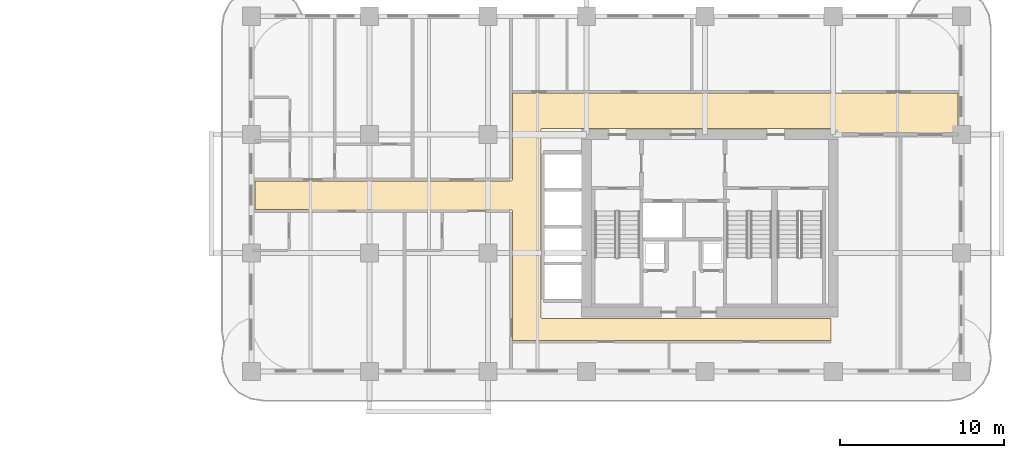
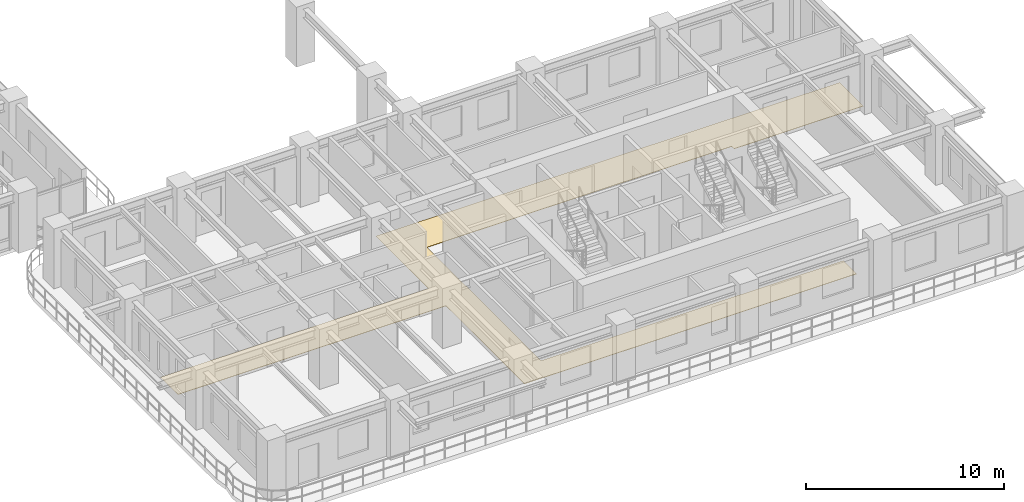
# One storey, part 16 of 19: 1 covering.
"""IFC4 building model written with IfcOpenShell, lengths in metres."""

from ifc_helpers import new_model, si_unit, derived_unit, direction, frame, origin, place, context, subcontext, project, spatial, polyline, outline, extrude, material, layer, layer_set, type_object, element, save


model = new_model("IFC4")

# Units and contexts
model_context = context("Model", 3, precision=1e-05, world=origin(), true_north=direction((0.0, 1.0)))
body_context = subcontext(model_context, "Body", "Model", "MODEL_VIEW")
ifc_project = project(units=[si_unit("LENGTHUNIT", "METRE"), si_unit("AREAUNIT", "SQUARE_METRE"), si_unit("VOLUMEUNIT", "CUBIC_METRE"), si_unit("PLANEANGLEUNIT", "RADIAN"), si_unit("MASSUNIT", "GRAM", prefix="KILO"), si_unit("THERMODYNAMICTEMPERATUREUNIT", "KELVIN"), si_unit("POWERUNIT", "WATT"), derived_unit("THERMALTRANSMITTANCEUNIT", [(si_unit("POWERUNIT", "WATT"), 1), (si_unit("AREAUNIT", "SQUARE_METRE"), -1), (si_unit("THERMODYNAMICTEMPERATUREUNIT", "KELVIN"), -1)])], contexts=[model_context])

# Site, building, storey
site_placement = place(None, origin())
site = spatial("IfcSite", under=ifc_project, at=site_placement, CompositionType="ELEMENT")
building_placement = place(site_placement, origin())
building = spatial("IfcBuilding", under=site, at=building_placement, Name="Zahravan Archway Hotel and Residences", CompositionType="ELEMENT")
storey_placement = place(building_placement, frame((0.0, 0.0, 43.5)))
storey = spatial("IfcBuildingStorey", under=building, at=storey_placement, Name="L09", CompositionType="ELEMENT", Elevation=43.5)

# Covering
ifc_material = material(Name="Engineered Walnut Parquet Flooring")
ifc_layer = layer(ifc_material, 0.02197265625, Name="Engineered Walnut Parquet Flooring")
ifc_layer_set = layer_set([ifc_layer], Name="Engineered Walnut Parquet Flooring")
covering_type = type_object("IfcCoveringType", Name="COV-FLR-TIMB", PredefinedType="FLOORING", material=ifc_layer_set)
covering_placement = place(storey_placement, origin())
element("IfcCovering", 1, at=covering_placement, inside=storey, type_object=covering_type, Name="L09 Circulation Floor Finish", PredefinedType="FLOORING", context=body_context, shape_type="SweptSolid", body=[
    extrude(outline(polyline([(57.3798828125, 14.530029296875), (49.830078125, 14.530029296875), (49.830078125, 14.699951171875), (49.81640625, 14.744384765625), (49.780517578125, 14.77392578125), (32.10009765625, 14.780029296875), (32.0556640625, 14.7666015625), (32.026123046875, 14.730712890625), (32.02001953125, 3.300048828125), (32.033447265625, 3.255615234375), (32.0693359375, 3.22607421875), (49.669921875, 3.219970703125), (49.669921875, 1.8798828125), (30.280029296875, 1.8798828125), (30.280029296875, 9.75), (30.2666015625, 9.79443359375), (30.230712890625, 9.823974609375), (14.6201171875, 9.830078125), (14.6201171875, 11.590087890625), (30.199951171875, 11.590087890625), (30.244384765625, 11.603515625), (30.27392578125, 11.639404296875), (30.280029296875, 16.919921875), (57.3798828125, 16.919921875), (57.3798828125, 14.530029296875)])), origin(), (0.0, 0.0, 1.0), 0.02197265625),
])

save(model, "model.ifc")
